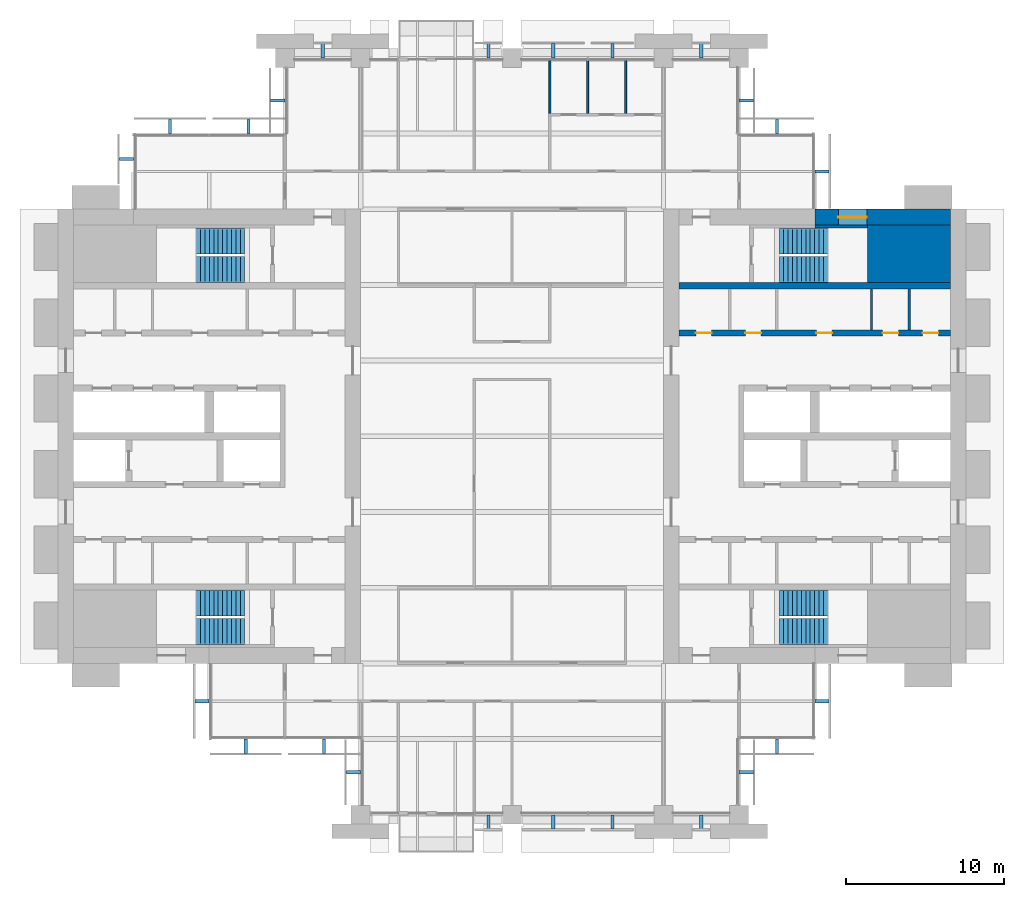
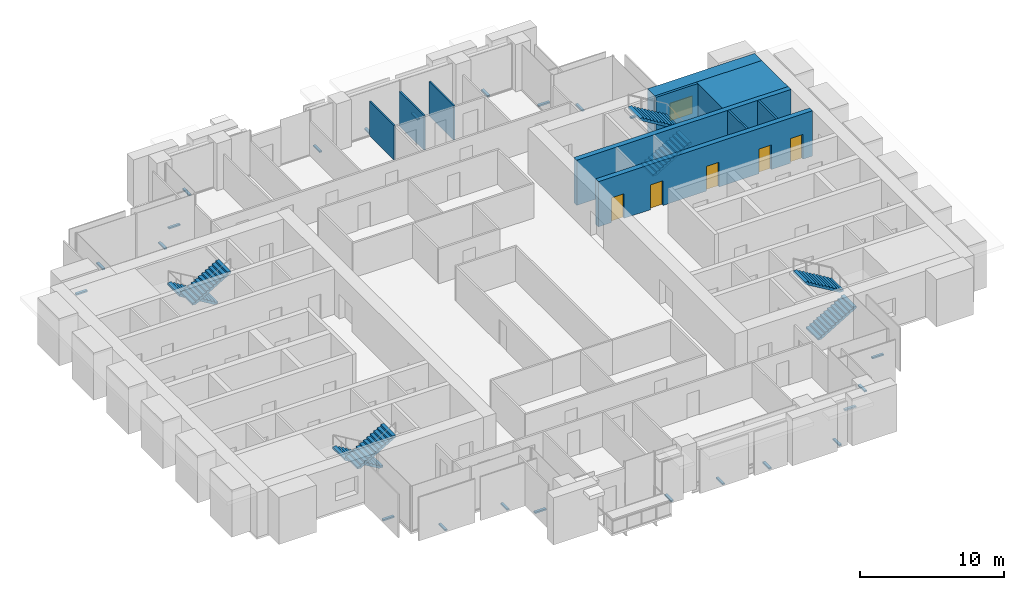
# One storey, part 13 of 15: 23 discrete accessories, 10 walls, 8 stair flights, 5 doors, 1 window, 6 openings, 4 elements without a shape of their own.
"""IFC4 building model written with IfcOpenShell, lengths in metres."""

from ifc_helpers import new_model, si_unit, direction, frame, frame_2d, origin, origin_2d, place, context, subcontext, project, spatial, polyline, rectangle, outline, extrude, material, layer, layer_set, type_object, element, fill, aggregate, save


model = new_model("IFC4")

# Units and contexts
model_context = context("Model", 3, precision=1e-05, world=origin(), true_north=direction((0.0, 1.0)))
body_context = subcontext(model_context, "Body", "Model", "MODEL_VIEW")
ifc_project = project(units=[si_unit("LENGTHUNIT", "METRE"), si_unit("AREAUNIT", "SQUARE_METRE"), si_unit("VOLUMEUNIT", "CUBIC_METRE"), si_unit("PLANEANGLEUNIT", "RADIAN"), si_unit("MASSUNIT", "GRAM", prefix="KILO")], contexts=[model_context])

# Site, building, storey
site_placement = place(None, origin())
site = spatial("IfcSite", under=ifc_project, at=site_placement, CompositionType="ELEMENT")
building_placement = place(site_placement, origin())
building = spatial("IfcBuilding", under=site, at=building_placement, Name="Baori Bourse Tower", CompositionType="ELEMENT")
storey_placement = place(building_placement, frame((0.0, 0.0, 152.10009765625)))
storey = spatial("IfcBuildingStorey", under=building, at=storey_placement, Name="L33", CompositionType="ELEMENT", Elevation=152.10009765625)

# Walls
ifc_material_1 = material(Name="Concrete f'c 60 MPa", Category="concrete")
wall_type_1 = type_object("IfcWallType", Name="Core corner block f'c 60", PredefinedType="SHEAR", material=ifc_material_1)
wall_1_placement = place(storey_placement, frame((51.35009765625, 35.574951171875, 0.0), z_axis=(0.0, 0.0, 1.0), x_axis=(1.0, 0.0, 0.0)))
element("IfcWall", 1, at=wall_1_placement, inside=storey, type_object=wall_type_1, Name="Core wall E28", PredefinedType="SHEAR", context=body_context, shape_type="SweptSolid", body=[
    extrude(rectangle(XDim=5.25, YDim=3.64990234375, at=frame_2d((2.625, 0.0))), origin(), (0.0, 0.0, 1.0), 3.83984375),
])
ifc_material_2 = material(Name="Blockwork partition", Category="masonry")
ifc_layer_1 = layer(ifc_material_2, 0.14990234375)
ifc_layer_set_1 = layer_set([ifc_layer_1], Name="Core partition 150")
wall_type_2 = type_object("IfcWallType", Name="Core partition 150", PredefinedType="PARTITIONING", material=ifc_layer_set_1)
for number, where, z_axis, x_axis, name in (
    (2, (54.0, 30.75, 0.0), (0.0, 0.0, 1.0), (0.0, 1.0, 0.0), "Partition wall E23"),
    (3, (51.60009765625, 30.75, 0.0), (0.0, 0.0, 1.0), (0.0, 1.0, 0.0), "Partition wall E24"),
):
    element("IfcWall", number, at=place(storey_placement, frame(where, z_axis=z_axis, x_axis=x_axis)), inside=storey, type_object=wall_type_2, Name=name, PredefinedType="PARTITIONING", context=body_context, shape_type="SweptSolid", body=[
        extrude(rectangle(XDim=2.60009765625, YDim=0.14990234375, at=frame_2d((1.300048828125, 0.0))), origin(), (0.0, 0.0, 1.0), 3.83984375),
    ])

# Wall, opening, window
ifc_material_3 = material(Name="Concrete f'c 60 MPa", Category="concrete")
ifc_layer_2 = layer(ifc_material_3, 1.0)
ifc_layer_set_2 = layer_set([ifc_layer_2], Name="Core wall 1000 f'c 60")
wall_type_3 = type_object("IfcWallType", Name="Core wall 1000 f'c 60", PredefinedType="SHEAR", material=ifc_layer_set_2)
wall_2_placement = place(storey_placement, frame((48.0, 37.89990234375, 0.0), z_axis=(0.0, 0.0, 1.0), x_axis=(1.0, 0.0, 0.0)))
wall_2 = element("IfcWall", 4, at=wall_2_placement, inside=storey, type_object=wall_type_3, Name="Core wall E32", PredefinedType="SHEAR", context=body_context, shape_type="SweptSolid", body=[
    extrude(rectangle(XDim=8.60009765625, YDim=1.0, at=frame_2d((4.300048828125, 0.0))), origin(), (0.0, 0.0, 1.0), 3.83984375),
])
opening_1_placement = place(wall_2_placement, frame((1.5, 0.0, 0.89990234375)))
opening_1 = element("IfcOpeningElement", 5, at=opening_1_placement, cuts=wall_2, Name="Opening L33-KW204", PredefinedType="OPENING", context=body_context, shape_type="SweptSolid", body=[
    extrude(rectangle(XDim=1.800048828125, YDim=1.5, at=frame_2d((0.89990234375, 0.75))), frame((0.0, 0.510009765625, 0.0), z_axis=(0.0, -1.0, 0.0), x_axis=(1.0, 0.0, 0.0)), (0.0, 0.0, 1.0), 1.02001953125),
])
ifc_material_4 = material(Name="Pale anodised aluminium", Category="aluminium")
window_type = type_object("IfcWindowType", Name="Stair window 1800 x 1500", PartitioningType="SINGLE_PANEL", PredefinedType="WINDOW", material=ifc_material_4)
window_placement = place(opening_1_placement, origin())
window = element("IfcWindow", 6, at=window_placement, inside=storey, type_object=window_type, Name="Stair window E L33 4", OverallHeight=1.5, OverallWidth=1.800048828125, PartitioningType="SINGLE_PANEL", PredefinedType="WINDOW", context=body_context, shape_type="SweptSolid", body=[
    extrude(rectangle(XDim=1.800048828125, YDim=1.5, at=frame_2d((0.89990234375, 0.75))), frame((0.0, 0.030029296875, 0.0), z_axis=(0.0, -1.0, 0.0), x_axis=(1.0, 0.0, 0.0)), (0.0, 0.0, 1.0), 0.06005859375),
])
fill(opening_1, window)

# Walls
ifc_material_5 = material(Name="Gypsum board partition")
ifc_layer_3 = layer(ifc_material_5, 0.125)
ifc_layer_set_3 = layer_set([ifc_layer_3], Name="Partition 125")
wall_type_4 = type_object("IfcWallType", Name="Partition 125", PredefinedType="PARTITIONING", material=ifc_layer_set_3)
for number, where, z_axis, x_axis, name in (
    (7, (31.199951171875, 44.47509765625, 0.0), (0.0, 0.0, 1.0), (0.0, 1.0, 0.0), "Partition"),
    (8, (33.60009765625, 44.47509765625, 0.0), (0.0, 0.0, 1.0), (0.0, 1.0, 0.0), "Partition"),
    (9, (36.0, 44.47509765625, 0.0), (0.0, 0.0, 1.0), (0.0, 1.0, 0.0), "Partition"),
):
    element("IfcWall", number, at=place(storey_placement, frame(where, z_axis=z_axis, x_axis=x_axis)), inside=storey, type_object=wall_type_4, Name=name, PredefinedType="PARTITIONING", context=body_context, shape_type="SweptSolid", body=[
        extrude(rectangle(XDim=3.4248046875, YDim=0.125, at=frame_2d((1.71240234375, 0.0))), origin(), (0.0, 0.0, 1.0), 2.935546875),
    ])
ifc_material_6 = material(Name="Concrete f'c 60 MPa", Category="concrete")
ifc_layer_4 = layer(ifc_material_6, 0.199951171875)
ifc_layer_set_4 = layer_set([ifc_layer_4], Name="Shaft wall 200 f'c 60")
wall_type_5 = type_object("IfcWallType", Name="Shaft wall 200 f'c 60", PredefinedType="SHEAR", material=ifc_layer_set_4)
wall_3_placement = place(storey_placement, frame((48.0, 37.300048828125, 0.0), z_axis=(0.0, 0.0, 1.0), x_axis=(1.0, 0.0, 0.0)))
element("IfcWall", 10, at=wall_3_placement, inside=storey, type_object=wall_type_5, Name="Core wall E30", PredefinedType="SHEAR", context=body_context, shape_type="SweptSolid", body=[
    extrude(rectangle(XDim=3.35009765625, YDim=0.199951171875, at=frame_2d((1.675048828125, 0.0))), origin(), (0.0, 0.0, 1.0), 3.83984375),
])

# Wall, openings, doors
ifc_material_7 = material(Name="Concrete f'c 60 MPa", Category="concrete")
ifc_layer_5 = layer(ifc_material_7, 0.39990234375)
ifc_layer_set_5 = layer_set([ifc_layer_5], Name="Shaft wall 400 f'c 60")
wall_type_6 = type_object("IfcWallType", Name="Shaft wall 400 f'c 60", PredefinedType="SHEAR", material=ifc_layer_set_5)
wall_4_placement = place(storey_placement, frame((39.39990234375, 30.550048828125, 0.0), z_axis=(0.0, 0.0, 1.0), x_axis=(1.0, 0.0, 0.0)))
wall_4 = element("IfcWall", 11, at=wall_4_placement, inside=storey, type_object=wall_type_6, Name="Core wall E22", PredefinedType="SHEAR", context=body_context, shape_type="SweptSolid", body=[
    extrude(rectangle(XDim=17.2001953125, YDim=0.39990234375, at=frame_2d((8.60009765625, 0.0))), origin(), (0.0, 0.0, 1.0), 3.83984375),
])
opening_2_placement = place(wall_4_placement, frame((15.4375, 0.0, 0.0)))
opening_2 = element("IfcOpeningElement", 12, at=opening_2_placement, cuts=wall_4, Name="Opening L33-D209", PredefinedType="OPENING", context=body_context, shape_type="SweptSolid", body=[
    extrude(rectangle(XDim=1.0, YDim=2.10009765625, at=frame_2d((0.5, 1.050048828125))), frame((0.0, 0.2099609375, 0.0), z_axis=(0.0, -1.0, 0.0), x_axis=(1.0, 0.0, 0.0)), (0.0, 0.0, 1.0), 0.419921875),
])
opening_3_placement = place(wall_4_placement, frame((12.89990234375, 0.0, 0.0)))
opening_3 = element("IfcOpeningElement", 13, at=opening_3_placement, cuts=wall_4, Name="Opening L33-D210", PredefinedType="OPENING", context=body_context, shape_type="SweptSolid", body=[
    extrude(rectangle(XDim=1.0, YDim=2.10009765625, at=frame_2d((0.5, 1.050048828125))), frame((0.0, 0.2099609375, 0.0), z_axis=(0.0, -1.0, 0.0), x_axis=(1.0, 0.0, 0.0)), (0.0, 0.0, 1.0), 0.419921875),
])
opening_4_placement = place(wall_4_placement, frame((8.699951171875, 0.0, 0.0)))
opening_4 = element("IfcOpeningElement", 14, at=opening_4_placement, cuts=wall_4, Name="Opening L33-D211", PredefinedType="OPENING", context=body_context, shape_type="SweptSolid", body=[
    extrude(rectangle(XDim=1.0, YDim=2.10009765625, at=frame_2d((0.5, 1.050048828125))), frame((0.0, 0.2099609375, 0.0), z_axis=(0.0, -1.0, 0.0), x_axis=(1.0, 0.0, 0.0)), (0.0, 0.0, 1.0), 0.419921875),
])
opening_5_placement = place(wall_4_placement, frame((4.199951171875, 0.0, 0.0)))
opening_5 = element("IfcOpeningElement", 15, at=opening_5_placement, cuts=wall_4, Name="Opening L33-D212", PredefinedType="OPENING", context=body_context, shape_type="SweptSolid", body=[
    extrude(rectangle(XDim=1.0, YDim=2.10009765625, at=frame_2d((0.5, 1.050048828125))), frame((0.0, 0.2099609375, 0.0), z_axis=(0.0, -1.0, 0.0), x_axis=(1.0, 0.0, 0.0)), (0.0, 0.0, 1.0), 0.419921875),
])
opening_6_placement = place(wall_4_placement, frame((1.0625, 0.0, 0.0)))
opening_6 = element("IfcOpeningElement", 16, at=opening_6_placement, cuts=wall_4, Name="Opening L33-D213", PredefinedType="OPENING", context=body_context, shape_type="SweptSolid", body=[
    extrude(rectangle(XDim=1.0, YDim=2.10009765625, at=frame_2d((0.5, 1.050048828125))), frame((0.0, 0.2099609375, 0.0), z_axis=(0.0, -1.0, 0.0), x_axis=(1.0, 0.0, 0.0)), (0.0, 0.0, 1.0), 0.419921875),
])
ifc_material_8 = material(Name="Painted steel door", Category="steel")
door_type = type_object("IfcDoorType", Name="Core door 1000", OperationType="SINGLE_SWING_LEFT", PredefinedType="DOOR", material=ifc_material_8)
door_1_placement = place(opening_2_placement, origin())
door_1 = element("IfcDoor", 17, at=door_1_placement, inside=storey, type_object=door_type, Name="Store Room door E L33", OperationType="SINGLE_SWING_LEFT", OverallHeight=2.10009765625, OverallWidth=1.0, PredefinedType="DOOR", context=body_context, shape_type="SweptSolid", body=[
    extrude(rectangle(XDim=1.0, YDim=2.10009765625, at=frame_2d((0.5, 1.050048828125))), frame((0.0, 0.02490234375, 0.0), z_axis=(0.0, -1.0, 0.0), x_axis=(1.0, 0.0, 0.0)), (0.0, 0.0, 1.0), 0.050048828125),
])
fill(opening_2, door_1)
door_2_placement = place(opening_3_placement, origin())
door_2 = element("IfcDoor", 18, at=door_2_placement, inside=storey, type_object=door_type, Name="Pantry door E L33", OperationType="SINGLE_SWING_LEFT", OverallHeight=2.10009765625, OverallWidth=1.0, PredefinedType="DOOR", context=body_context, shape_type="SweptSolid", body=[
    extrude(rectangle(XDim=1.0, YDim=2.10009765625, at=frame_2d((0.5, 1.050048828125))), frame((0.0, 0.02490234375, 0.0), z_axis=(0.0, -1.0, 0.0), x_axis=(1.0, 0.0, 0.0)), (0.0, 0.0, 1.0), 0.050048828125),
])
fill(opening_3, door_2)
door_3_placement = place(opening_4_placement, origin())
door_3 = element("IfcDoor", 19, at=door_3_placement, inside=storey, type_object=door_type, Name="Men'S Wc door E L33", OperationType="SINGLE_SWING_LEFT", OverallHeight=2.10009765625, OverallWidth=1.0, PredefinedType="DOOR", context=body_context, shape_type="SweptSolid", body=[
    extrude(rectangle(XDim=1.0, YDim=2.10009765625, at=frame_2d((0.5, 1.050048828125))), frame((0.0, 0.02490234375, 0.0), z_axis=(0.0, -1.0, 0.0), x_axis=(1.0, 0.0, 0.0)), (0.0, 0.0, 1.0), 0.050048828125),
])
fill(opening_4, door_3)
door_4_placement = place(opening_5_placement, origin())
door_4 = element("IfcDoor", 20, at=door_4_placement, inside=storey, type_object=door_type, Name="Women'S Wc door E L33", OperationType="SINGLE_SWING_LEFT", OverallHeight=2.10009765625, OverallWidth=1.0, PredefinedType="DOOR", context=body_context, shape_type="SweptSolid", body=[
    extrude(rectangle(XDim=1.0, YDim=2.10009765625, at=frame_2d((0.5, 1.050048828125))), frame((0.0, 0.02490234375, 0.0), z_axis=(0.0, -1.0, 0.0), x_axis=(1.0, 0.0, 0.0)), (0.0, 0.0, 1.0), 0.050048828125),
])
fill(opening_5, door_4)
door_5_placement = place(opening_6_placement, origin())
door_5 = element("IfcDoor", 21, at=door_5_placement, inside=storey, type_object=door_type, Name="Accessible Wc door E L33", OperationType="SINGLE_SWING_LEFT", OverallHeight=2.10009765625, OverallWidth=1.0, PredefinedType="DOOR", context=body_context, shape_type="SweptSolid", body=[
    extrude(rectangle(XDim=1.0, YDim=2.10009765625, at=frame_2d((0.5, 1.050048828125))), frame((0.0, 0.02490234375, 0.0), z_axis=(0.0, -1.0, 0.0), x_axis=(1.0, 0.0, 0.0)), (0.0, 0.0, 1.0), 0.050048828125),
])
fill(opening_6, door_5)

# Wall
wall_5_placement = place(storey_placement, frame((39.39990234375, 33.550048828125, 0.0), z_axis=(0.0, 0.0, 1.0), x_axis=(1.0, 0.0, 0.0)))
element("IfcWall", 22, at=wall_5_placement, inside=storey, type_object=wall_type_6, Name="Core wall E27", PredefinedType="SHEAR", context=body_context, shape_type="SweptSolid", body=[
    extrude(rectangle(XDim=17.2001953125, YDim=0.39990234375, at=frame_2d((8.60009765625, 0.0))), origin(), (0.0, 0.0, 1.0), 3.83984375),
])

# Stair, stair flights
ifc_material_9 = material(Name="Concrete f'c 50 MPa", Category="concrete")
stair_type = type_object("IfcStairType", Name="Core stair", PredefinedType="HALF_TURN_STAIR", material=ifc_material_9)
stair_1_placement = place(storey_placement, origin())
stair_1 = element("IfcStair", 23, at=stair_1_placement, inside=storey, type_object=stair_type, Name="L33 Stair WA", PredefinedType="HALF_TURN_STAIR")
ifc_material_10 = material(Name="Concrete f'c 50 MPa", Category="concrete")
stair_flight_type = type_object("IfcStairFlightType", Name="Core stair flight", PredefinedType="STRAIGHT", material=ifc_material_10)
stair_flight_1_placement = place(storey_placement, frame((11.85009765625, 13.425048828125, 0.0), z_axis=(0.0, 0.0, 1.0), x_axis=(-1.0, 0.0, 0.0)))
stair_flight_1 = element("IfcStairFlight", 24, at=stair_flight_1_placement, type_object=stair_flight_type, Name="ST1 flight 1", NumberOfRisers=12, NumberOfTreads=11, PredefinedType="STRAIGHT", RiserHeight=0.166666667, TreadLength=0.28, context=body_context, shape_type="SweptSolid", body=[
    extrude(outline(polyline([(0.0, 0.0), (0.0, 0.166748046875), (0.280029296875, 0.166748046875), (0.280029296875, 0.333251953125), (0.56005859375, 0.333251953125), (0.56005859375, 0.5), (0.840087890625, 0.5), (0.840087890625, 0.666748046875), (1.1201171875, 0.666748046875), (1.1201171875, 0.833251953125), (1.39990234375, 0.833251953125), (1.39990234375, 1.0), (1.679931640625, 1.0), (1.679931640625, 1.166748046875), (1.9599609375, 1.166748046875), (1.9599609375, 1.333251953125), (2.239990234375, 1.333251953125), (2.239990234375, 1.5), (2.52001953125, 1.5), (2.52001953125, 1.666748046875), (2.800048828125, 1.666748046875), (2.800048828125, 1.833251953125), (3.080078125, 1.833251953125), (3.080078125, 2.0), (3.080078125, 1.658935546875), (0.29296875, 0.0), (0.0, 0.0)])), frame((0.0, 0.824951171875, 0.0), z_axis=(0.0, -1.0, 0.0), x_axis=(1.0, 0.0, 0.0)), (0.0, 0.0, 1.0), 1.64990234375),
])
stair_flight_2_placement = place(storey_placement, frame((8.77001953125, 11.625, 2.0), z_axis=(0.0, 0.0, 1.0), x_axis=(1.0, 0.0, 0.0)))
stair_flight_2 = element("IfcStairFlight", 25, at=stair_flight_2_placement, type_object=stair_flight_type, Name="ST1 flight 2", NumberOfRisers=12, NumberOfTreads=11, PredefinedType="STRAIGHT", RiserHeight=0.166666667, TreadLength=0.28, context=body_context, shape_type="SweptSolid", body=[
    extrude(outline(polyline([(0.0, 0.0), (0.0, 0.166748046875), (0.280029296875, 0.166748046875), (0.280029296875, 0.333251953125), (0.56005859375, 0.333251953125), (0.56005859375, 0.5), (0.840087890625, 0.5), (0.840087890625, 0.666748046875), (1.1201171875, 0.666748046875), (1.1201171875, 0.833251953125), (1.39990234375, 0.833251953125), (1.39990234375, 1.0), (1.679931640625, 1.0), (1.679931640625, 1.166748046875), (1.9599609375, 1.166748046875), (1.9599609375, 1.333251953125), (2.239990234375, 1.333251953125), (2.239990234375, 1.5), (2.52001953125, 1.5), (2.52001953125, 1.666748046875), (2.800048828125, 1.666748046875), (2.800048828125, 1.833251953125), (3.080078125, 1.833251953125), (3.080078125, 2.0), (3.080078125, 1.658935546875), (0.29296875, 0.0), (0.0, 0.0)])), frame((0.0, 0.824951171875, 0.0), z_axis=(0.0, -1.0, 0.0), x_axis=(1.0, 0.0, 0.0)), (0.0, 0.0, 1.0), 1.64990234375),
])
aggregate(stair_1, [stair_flight_1, stair_flight_2])

stair_2_placement = place(storey_placement, origin())
stair_2 = element("IfcStair", 26, at=stair_2_placement, inside=storey, type_object=stair_type, Name="L33 Stair WB", PredefinedType="HALF_TURN_STAIR")
stair_flight_3_placement = place(storey_placement, frame((11.85009765625, 36.375, 0.0), z_axis=(0.0, 0.0, 1.0), x_axis=(-1.0, 0.0, 0.0)))
stair_flight_3 = element("IfcStairFlight", 27, at=stair_flight_3_placement, type_object=stair_flight_type, Name="ST2 flight 1", NumberOfRisers=12, NumberOfTreads=11, PredefinedType="STRAIGHT", RiserHeight=0.166666667, TreadLength=0.28, context=body_context, shape_type="SweptSolid", body=[
    extrude(outline(polyline([(0.0, 0.0), (0.0, 0.166748046875), (0.280029296875, 0.166748046875), (0.280029296875, 0.333251953125), (0.56005859375, 0.333251953125), (0.56005859375, 0.5), (0.840087890625, 0.5), (0.840087890625, 0.666748046875), (1.1201171875, 0.666748046875), (1.1201171875, 0.833251953125), (1.39990234375, 0.833251953125), (1.39990234375, 1.0), (1.679931640625, 1.0), (1.679931640625, 1.166748046875), (1.9599609375, 1.166748046875), (1.9599609375, 1.333251953125), (2.239990234375, 1.333251953125), (2.239990234375, 1.5), (2.52001953125, 1.5), (2.52001953125, 1.666748046875), (2.800048828125, 1.666748046875), (2.800048828125, 1.833251953125), (3.080078125, 1.833251953125), (3.080078125, 2.0), (3.080078125, 1.658935546875), (0.29296875, 0.0), (0.0, 0.0)])), frame((0.0, 0.824951171875, 0.0), z_axis=(0.0, -1.0, 0.0), x_axis=(1.0, 0.0, 0.0)), (0.0, 0.0, 1.0), 1.64990234375),
])
stair_flight_4_placement = place(storey_placement, frame((8.77001953125, 34.574951171875, 2.0), z_axis=(0.0, 0.0, 1.0), x_axis=(1.0, 0.0, 0.0)))
stair_flight_4 = element("IfcStairFlight", 28, at=stair_flight_4_placement, type_object=stair_flight_type, Name="ST2 flight 2", NumberOfRisers=12, NumberOfTreads=11, PredefinedType="STRAIGHT", RiserHeight=0.166666667, TreadLength=0.28, context=body_context, shape_type="SweptSolid", body=[
    extrude(outline(polyline([(0.0, 0.0), (0.0, 0.166748046875), (0.280029296875, 0.166748046875), (0.280029296875, 0.333251953125), (0.56005859375, 0.333251953125), (0.56005859375, 0.5), (0.840087890625, 0.5), (0.840087890625, 0.666748046875), (1.1201171875, 0.666748046875), (1.1201171875, 0.833251953125), (1.39990234375, 0.833251953125), (1.39990234375, 1.0), (1.679931640625, 1.0), (1.679931640625, 1.166748046875), (1.9599609375, 1.166748046875), (1.9599609375, 1.333251953125), (2.239990234375, 1.333251953125), (2.239990234375, 1.5), (2.52001953125, 1.5), (2.52001953125, 1.666748046875), (2.800048828125, 1.666748046875), (2.800048828125, 1.833251953125), (3.080078125, 1.833251953125), (3.080078125, 2.0), (3.080078125, 1.658935546875), (0.29296875, 0.0), (0.0, 0.0)])), frame((0.0, 0.824951171875, 0.0), z_axis=(0.0, -1.0, 0.0), x_axis=(1.0, 0.0, 0.0)), (0.0, 0.0, 1.0), 1.64990234375),
])
aggregate(stair_2, [stair_flight_3, stair_flight_4])

stair_3_placement = place(storey_placement, origin())
stair_3 = element("IfcStair", 29, at=stair_3_placement, inside=storey, type_object=stair_type, Name="L33 Stair EA", PredefinedType="HALF_TURN_STAIR")
stair_flight_5_placement = place(storey_placement, frame((45.75, 11.625, 0.0), z_axis=(0.0, 0.0, 1.0), x_axis=(1.0, 0.0, 0.0)))
stair_flight_5 = element("IfcStairFlight", 30, at=stair_flight_5_placement, type_object=stair_flight_type, Name="ST3 flight 1", NumberOfRisers=12, NumberOfTreads=11, PredefinedType="STRAIGHT", RiserHeight=0.166666667, TreadLength=0.28, context=body_context, shape_type="SweptSolid", body=[
    extrude(outline(polyline([(0.0, 0.0), (0.0, 0.166748046875), (0.280029296875, 0.166748046875), (0.280029296875, 0.333251953125), (0.56005859375, 0.333251953125), (0.56005859375, 0.5), (0.840087890625, 0.5), (0.840087890625, 0.666748046875), (1.1201171875, 0.666748046875), (1.1201171875, 0.833251953125), (1.39990234375, 0.833251953125), (1.39990234375, 1.0), (1.679931640625, 1.0), (1.679931640625, 1.166748046875), (1.9599609375, 1.166748046875), (1.9599609375, 1.333251953125), (2.239990234375, 1.333251953125), (2.239990234375, 1.5), (2.52001953125, 1.5), (2.52001953125, 1.666748046875), (2.800048828125, 1.666748046875), (2.800048828125, 1.833251953125), (3.080078125, 1.833251953125), (3.080078125, 2.0), (3.080078125, 1.658935546875), (0.29296875, 0.0), (0.0, 0.0)])), frame((0.0, 0.824951171875, 0.0), z_axis=(0.0, -1.0, 0.0), x_axis=(1.0, 0.0, 0.0)), (0.0, 0.0, 1.0), 1.64990234375),
])
stair_flight_6_placement = place(storey_placement, frame((48.830078125, 13.425048828125, 2.0), z_axis=(0.0, 0.0, 1.0), x_axis=(-1.0, 0.0, 0.0)))
stair_flight_6 = element("IfcStairFlight", 31, at=stair_flight_6_placement, type_object=stair_flight_type, Name="ST3 flight 2", NumberOfRisers=12, NumberOfTreads=11, PredefinedType="STRAIGHT", RiserHeight=0.166666667, TreadLength=0.28, context=body_context, shape_type="SweptSolid", body=[
    extrude(outline(polyline([(0.0, 0.0), (0.0, 0.166748046875), (0.280029296875, 0.166748046875), (0.280029296875, 0.333251953125), (0.56005859375, 0.333251953125), (0.56005859375, 0.5), (0.840087890625, 0.5), (0.840087890625, 0.666748046875), (1.1201171875, 0.666748046875), (1.1201171875, 0.833251953125), (1.39990234375, 0.833251953125), (1.39990234375, 1.0), (1.679931640625, 1.0), (1.679931640625, 1.166748046875), (1.9599609375, 1.166748046875), (1.9599609375, 1.333251953125), (2.239990234375, 1.333251953125), (2.239990234375, 1.5), (2.52001953125, 1.5), (2.52001953125, 1.666748046875), (2.800048828125, 1.666748046875), (2.800048828125, 1.833251953125), (3.080078125, 1.833251953125), (3.080078125, 2.0), (3.080078125, 1.658935546875), (0.29296875, 0.0), (0.0, 0.0)])), frame((0.0, 0.824951171875, 0.0), z_axis=(0.0, -1.0, 0.0), x_axis=(1.0, 0.0, 0.0)), (0.0, 0.0, 1.0), 1.64990234375),
])
aggregate(stair_3, [stair_flight_5, stair_flight_6])

stair_4_placement = place(storey_placement, origin())
stair_4 = element("IfcStair", 32, at=stair_4_placement, inside=storey, type_object=stair_type, Name="L33 Stair EB", PredefinedType="HALF_TURN_STAIR")
stair_flight_7_placement = place(storey_placement, frame((45.75, 34.574951171875, 0.0), z_axis=(0.0, 0.0, 1.0), x_axis=(1.0, 0.0, 0.0)))
stair_flight_7 = element("IfcStairFlight", 33, at=stair_flight_7_placement, type_object=stair_flight_type, Name="ST4 flight 1", NumberOfRisers=12, NumberOfTreads=11, PredefinedType="STRAIGHT", RiserHeight=0.166666667, TreadLength=0.28, context=body_context, shape_type="SweptSolid", body=[
    extrude(outline(polyline([(0.0, 0.0), (0.0, 0.166748046875), (0.280029296875, 0.166748046875), (0.280029296875, 0.333251953125), (0.56005859375, 0.333251953125), (0.56005859375, 0.5), (0.840087890625, 0.5), (0.840087890625, 0.666748046875), (1.1201171875, 0.666748046875), (1.1201171875, 0.833251953125), (1.39990234375, 0.833251953125), (1.39990234375, 1.0), (1.679931640625, 1.0), (1.679931640625, 1.166748046875), (1.9599609375, 1.166748046875), (1.9599609375, 1.333251953125), (2.239990234375, 1.333251953125), (2.239990234375, 1.5), (2.52001953125, 1.5), (2.52001953125, 1.666748046875), (2.800048828125, 1.666748046875), (2.800048828125, 1.833251953125), (3.080078125, 1.833251953125), (3.080078125, 2.0), (3.080078125, 1.658935546875), (0.29296875, 0.0), (0.0, 0.0)])), frame((0.0, 0.824951171875, 0.0), z_axis=(0.0, -1.0, 0.0), x_axis=(1.0, 0.0, 0.0)), (0.0, 0.0, 1.0), 1.64990234375),
])
stair_flight_8_placement = place(storey_placement, frame((48.830078125, 36.375, 2.0), z_axis=(0.0, 0.0, 1.0), x_axis=(-1.0, 0.0, 0.0)))
stair_flight_8 = element("IfcStairFlight", 34, at=stair_flight_8_placement, type_object=stair_flight_type, Name="ST4 flight 2", NumberOfRisers=12, NumberOfTreads=11, PredefinedType="STRAIGHT", RiserHeight=0.166666667, TreadLength=0.28, context=body_context, shape_type="SweptSolid", body=[
    extrude(outline(polyline([(0.0, 0.0), (0.0, 0.166748046875), (0.280029296875, 0.166748046875), (0.280029296875, 0.333251953125), (0.56005859375, 0.333251953125), (0.56005859375, 0.5), (0.840087890625, 0.5), (0.840087890625, 0.666748046875), (1.1201171875, 0.666748046875), (1.1201171875, 0.833251953125), (1.39990234375, 0.833251953125), (1.39990234375, 1.0), (1.679931640625, 1.0), (1.679931640625, 1.166748046875), (1.9599609375, 1.166748046875), (1.9599609375, 1.333251953125), (2.239990234375, 1.333251953125), (2.239990234375, 1.5), (2.52001953125, 1.5), (2.52001953125, 1.666748046875), (2.800048828125, 1.666748046875), (2.800048828125, 1.833251953125), (3.080078125, 1.833251953125), (3.080078125, 2.0), (3.080078125, 1.658935546875), (0.29296875, 0.0), (0.0, 0.0)])), frame((0.0, 0.824951171875, 0.0), z_axis=(0.0, -1.0, 0.0), x_axis=(1.0, 0.0, 0.0)), (0.0, 0.0, 1.0), 1.64990234375),
])
aggregate(stair_4, [stair_flight_7, stair_flight_8])

# Discrete accessories
ifc_material_11 = material(Name="Pale anodised aluminium", Category="aluminium")
discrete_accessory_type = type_object("IfcDiscreteAccessoryType", Name="OS2 Outer skin bracket", PredefinedType="BRACKET", material=ifc_material_11)
for number, where, z_axis, x_axis, name in (
    (35, (48.449951171875, 40.800048828125, -0.14404296875), (0.0, 0.0, 1.0), (0.0, 1.0, 0.0), "Outer skin bracket L33 1"),
    (36, (45.60009765625, 43.64990234375, -0.14404296875), (0.0, 0.0, 1.0), (-1.0, 0.0, 0.0), "Outer skin bracket L33 2"),
    (37, (43.64990234375, 45.300048828125, -0.14404296875), (0.0, 0.0, 1.0), (0.0, 1.0, 0.0), "Outer skin bracket L33 3"),
    (38, (40.800048828125, 48.449951171875, -0.14404296875), (0.0, 0.0, 1.0), (-1.0, 0.0, 0.0), "Outer skin bracket L33 4"),
    (39, (35.16259765625, 48.449951171875, -0.14404296875), (0.0, 0.0, 1.0), (-1.0, 0.0, 0.0), "Outer skin bracket L33 5"),
    (40, (31.41259765625, 48.449951171875, -0.14404296875), (0.0, 0.0, 1.0), (-1.0, 0.0, 0.0), "Outer skin bracket L33 6"),
    (41, (27.300048828125, 48.449951171875, -0.14404296875), (0.0, 0.0, 1.0), (-1.0, 0.0, 0.0), "Outer skin bracket L33 7"),
    (42, (16.800048828125, 48.449951171875, -0.14404296875), (0.0, 0.0, 1.0), (-1.0, 0.0, 0.0), "Outer skin bracket L33 8"),
    (43, (13.949951171875, 45.300048828125, -0.14404296875), (0.0, 0.0, 1.0), (0.0, -1.0, 0.0), "Outer skin bracket L33 9"),
    (44, (12.08740234375, 43.64990234375, -0.14404296875), (0.0, 0.0, 1.0), (-1.0, 0.0, 0.0), "Outer skin bracket L33 10"),
    (45, (7.112548828125, 43.64990234375, -0.14404296875), (0.0, 0.0, 1.0), (-1.0, 0.0, 0.0), "Outer skin bracket L33 11"),
    (46, (4.35009765625, 41.574951171875, -0.14404296875), (0.0, 0.0, 1.0), (0.0, -1.0, 0.0), "Outer skin bracket L33 12"),
    (47, (9.14990234375, 7.199951171875, -0.14404296875), (0.0, 0.0, 1.0), (0.0, -1.0, 0.0), "Outer skin bracket L33 13"),
    (48, (11.91259765625, 4.35009765625, -0.14404296875), (0.0, 0.0, 1.0), (1.0, 0.0, 0.0), "Outer skin bracket L33 14"),
    (49, (16.887451171875, 4.35009765625, -0.14404296875), (0.0, 0.0, 1.0), (1.0, 0.0, 0.0), "Outer skin bracket L33 15"),
    (50, (18.75, 2.699951171875, -0.14404296875), (0.0, 0.0, 1.0), (0.0, -1.0, 0.0), "Outer skin bracket L33 16"),
    (51, (27.300048828125, -0.449951171875, -0.14404296875), (0.0, 0.0, 1.0), (1.0, 0.0, 0.0), "Outer skin bracket L33 17"),
    (52, (31.41259765625, -0.449951171875, -0.14404296875), (0.0, 0.0, 1.0), (1.0, 0.0, 0.0), "Outer skin bracket L33 18"),
    (53, (35.16259765625, -0.449951171875, -0.14404296875), (0.0, 0.0, 1.0), (1.0, 0.0, 0.0), "Outer skin bracket L33 19"),
    (54, (40.800048828125, -0.449951171875, -0.14404296875), (0.0, 0.0, 1.0), (1.0, 0.0, 0.0), "Outer skin bracket L33 20"),
    (55, (43.64990234375, 2.699951171875, -0.14404296875), (0.0, 0.0, 1.0), (0.0, 1.0, 0.0), "Outer skin bracket L33 21"),
    (56, (45.60009765625, 4.35009765625, -0.14404296875), (0.0, 0.0, 1.0), (1.0, 0.0, 0.0), "Outer skin bracket L33 22"),
    (57, (48.449951171875, 7.199951171875, -0.14404296875), (0.0, 0.0, 1.0), (0.0, 1.0, 0.0), "Outer skin bracket L33 23"),
):
    element("IfcDiscreteAccessory", number, at=place(storey_placement, frame(where, z_axis=z_axis, x_axis=x_axis)), inside=storey, type_object=discrete_accessory_type, Name=name, PredefinedType="BRACKET", context=body_context, shape_type="SweptSolid", body=[
        extrude(rectangle(XDim=0.199951171875, YDim=0.89990234375, at=origin_2d()), origin(), (0.0, 0.0, 1.0), 0.1279296875),
    ])

save(model, "model.ifc")
